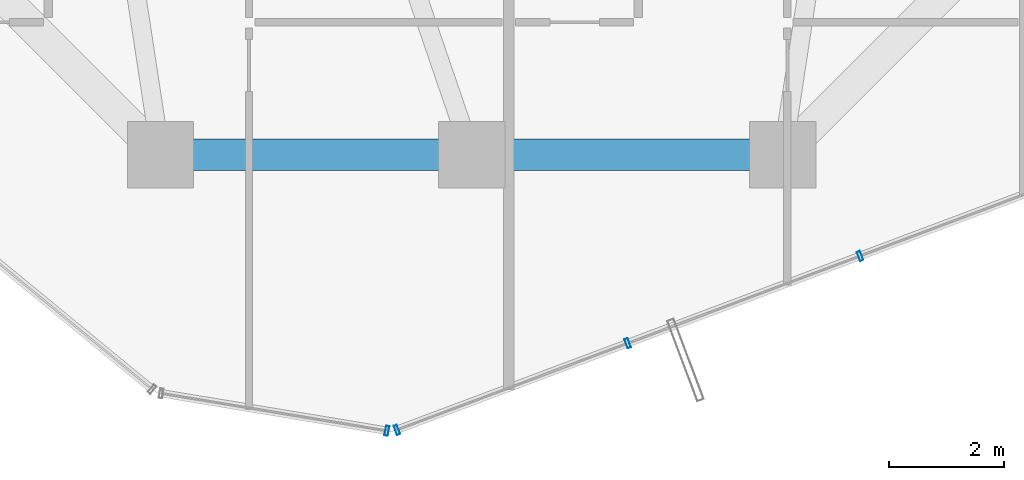
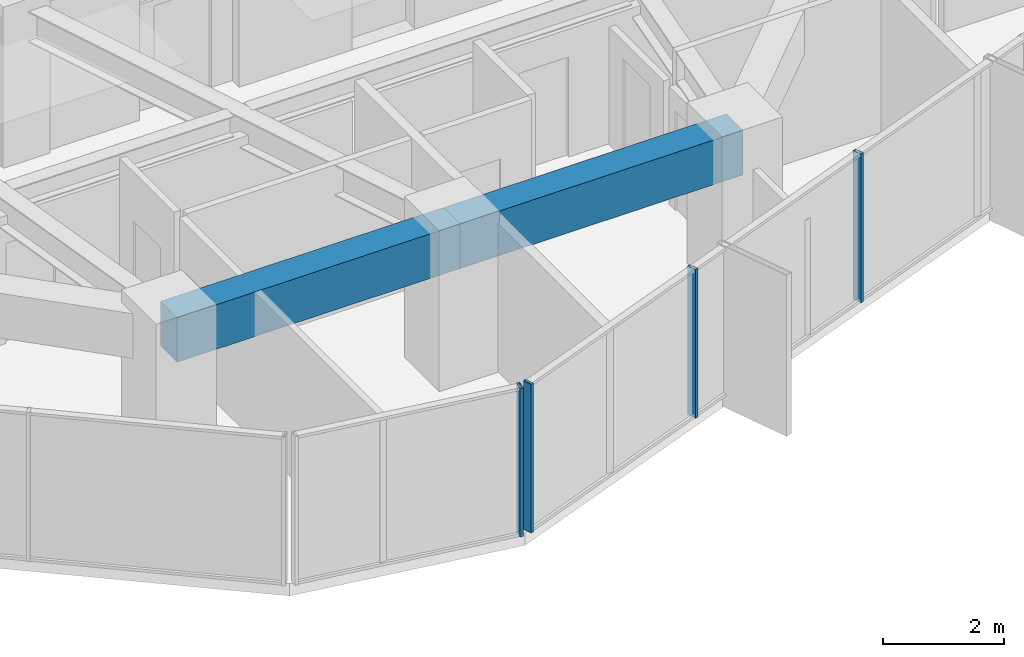
# One storey, part 6 of 30: 4 members, 2 beams, 2 elements without a shape of their own.
"""IFC4 building model written with IfcOpenShell, lengths in metres."""

from ifc_helpers import new_model, si_unit, direction, frame, origin, origin_2d, place, context, subcontext, project, spatial, rectangle, hollow_rectangle, extrude, source, transform, mapped, material, layer, layer_set, material_profile, profile_set, type_object, element, aggregate, save


model = new_model("IFC4")

# Units and contexts
model_context = context("Model", 3, precision=1e-05, world=origin(), true_north=direction((0.0, 1.0)))
body_context = subcontext(model_context, "Body", "Model", "MODEL_VIEW")
ifc_project = project(units=[si_unit("LENGTHUNIT", "METRE"), si_unit("AREAUNIT", "SQUARE_METRE"), si_unit("VOLUMEUNIT", "CUBIC_METRE"), si_unit("PLANEANGLEUNIT", "RADIAN"), si_unit("MASSUNIT", "GRAM", prefix="KILO")], contexts=[model_context])

# Site, building, storey
site_placement = place(None, origin())
site = spatial("IfcSite", under=ifc_project, at=site_placement, CompositionType="ELEMENT")
building_placement = place(site_placement, origin())
building = spatial("IfcBuilding", under=site, at=building_placement, Name="Veraguas Prism Commons", CompositionType="ELEMENT")
storey_placement = place(building_placement, frame((0.0, 0.0, 95.949951171875)))
storey = spatial("IfcBuildingStorey", under=building, at=storey_placement, Name="L26", CompositionType="ELEMENT", Elevation=95.949951171875)

# Beams
ifc_material_1 = material(Name="Concrete C50/60", Category="concrete")
ifc_material_profile_1 = material_profile(ifc_material_1, rectangle(XDim=0.550048828125, YDim=0.89990234375, at=origin_2d()), Name="RC550X900")
ifc_profile_set_1 = profile_set([ifc_material_profile_1], Name="Concrete C50/60")
beam_type = type_object("IfcBeamType", Name="Perimeter Spandrel Lower RC 550x900", PredefinedType="SPANDREL", material=ifc_profile_set_1)
for number, where, z_axis, x_axis, name in (
    (1, (18.60009765625, 7.800048828125, 2.550048828125), (1.0, 0.0, 0.0), (0.0, 1.0, 0.0), "Perimeter Spandrel Beam L26-SP10"),
    (2, (24.0, 7.800048828125, 2.550048828125), (1.0, 0.0, 0.0), (0.0, 1.0, 0.0), "Perimeter Spandrel Beam L26-SP11"),
):
    element("IfcBeam", number, at=place(storey_placement, frame(where, z_axis=z_axis, x_axis=x_axis)), inside=storey, type_object=beam_type, Name=name, PredefinedType="SPANDREL", context=body_context, shape_type="SweptSolid", body=[
        extrude(rectangle(XDim=0.550048828125, YDim=0.89990234375, at=origin_2d()), origin(), (0.0, 0.0, 1.0), 5.39990234375),
    ])

# Curtain wall, members
ifc_material_2 = material(Name="Anodised aluminium EN AW-6063 T6", Category="aluminium")
ifc_layer = layer(ifc_material_2, 0.169921875, Name="Unitised Flush Curtain Wall Zone 2", Category="aluminium")
ifc_layer_set = layer_set([ifc_layer], Name="Anodised aluminium EN AW-6063 T6")
curtain_wall_type = type_object("IfcCurtainWallType", Name="Unitised Flush Curtain Wall Zone 2", PredefinedType="NOTDEFINED", material=ifc_layer_set)
curtain_wall_1_placement = place(storey_placement, origin())
curtain_wall_1 = element("IfcCurtainWall", 3, at=curtain_wall_1_placement, inside=storey, type_object=curtain_wall_type, Name="Tower Facade Curtain Wall L26-F5", PredefinedType="NOTDEFINED")
ifc_material_profile_2 = material_profile(ifc_material_2, hollow_rectangle(XDim=0.06005859375, YDim=0.169921875, WallThickness=0.00390625, at=origin_2d()), Name="AL60X170X4")
ifc_profile_set_2 = profile_set([ifc_material_profile_2], Name="Anodised aluminium EN AW-6063 T6")
member_type = type_object("IfcMemberType", Name="Curtain Wall Mullion Lower AL 60x170x4", PredefinedType="MULLION", material=ifc_profile_set_2)
shared_shape = source(origin(), body_context, "Body", "SweptSolid", [
    extrude(hollow_rectangle(XDim=0.06005859375, YDim=0.169921875, WallThickness=0.00390625, at=origin_2d()), origin(), (0.0, 0.0, 1.0), 3.0),
])
member_1_placement = place(storey_placement, frame((22.703857421875, 3.023193359375, 0.0), z_axis=(0.0, 0.0, 1.0), x_axis=(0.93618290812, 0.351513246611, 0.0)))
member_1 = element("IfcMember", 4, at=member_1_placement, type_object=member_type, Name="CW-Z2 Mullion 1", PredefinedType="MULLION", context=body_context, shape_type="MappedRepresentation", body=[
    mapped(shared_shape, transform((0.0, 0.0, 0.0), scale=1.0)),
])
member_2_placement = place(storey_placement, frame((26.709228515625, 4.52734375, 0.0), z_axis=(0.0, 0.0, 1.0), x_axis=(0.93618290812, 0.351513246611, 0.0)))
member_2 = element("IfcMember", 5, at=member_2_placement, type_object=member_type, Name="CW-Z2 Mullion 2", PredefinedType="MULLION", context=body_context, shape_type="MappedRepresentation", body=[
    mapped(shared_shape, transform((0.0, 0.0, 0.0), scale=1.0)),
])
member_3_placement = place(storey_placement, frame((30.742919921875, 6.041748046875, 0.0), z_axis=(0.0, 0.0, 1.0), x_axis=(0.93618290812, 0.351513246611, 0.0)))
member_3 = element("IfcMember", 6, at=member_3_placement, type_object=member_type, Name="CW-Z2 Mullion 3", PredefinedType="MULLION", context=body_context, shape_type="MappedRepresentation", body=[
    mapped(shared_shape, transform((0.0, 0.0, 0.0), scale=1.0)),
])
aggregate(curtain_wall_1, [member_1, member_2, member_3])

# Curtain wall, member
curtain_wall_2_placement = place(storey_placement, origin())
curtain_wall_2 = element("IfcCurtainWall", 7, at=curtain_wall_2_placement, inside=storey, type_object=curtain_wall_type, Name="Chamfer Curtain Wall L26-C5", PredefinedType="NOTDEFINED")
member_4_placement = place(storey_placement, frame((22.53076171875, 3.00634765625, 0.0), z_axis=(0.0, 0.0, 1.0), x_axis=(0.986515089987, -0.163670330935, 0.0)))
member_4 = element("IfcMember", 8, at=member_4_placement, type_object=member_type, Name="CW-Z2 Mullion 2", PredefinedType="MULLION", context=body_context, shape_type="MappedRepresentation", body=[
    mapped(shared_shape, transform((0.0, 0.0, 0.0), scale=1.0)),
])
aggregate(curtain_wall_2, [member_4])

save(model, "model.ifc")
